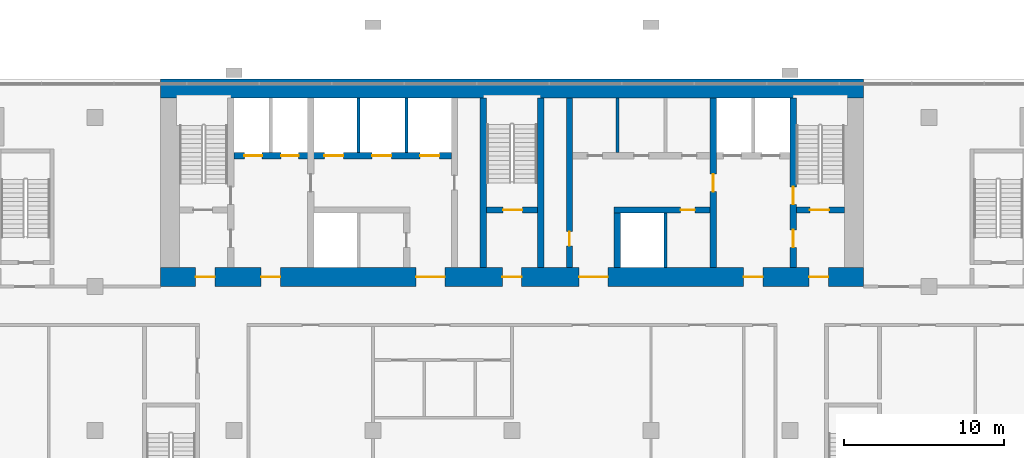
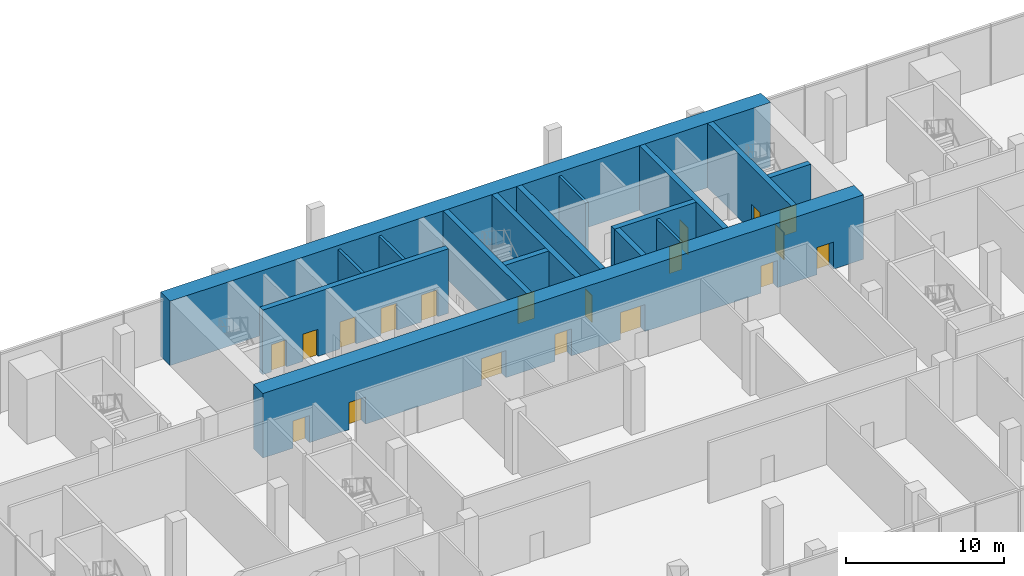
# One storey, part 13 of 20: 19 doors, 16 walls, 19 openings.
"""IFC4 building model written with IfcOpenShell, lengths in metres."""

import ifcopenshell
import ifcopenshell.guid

model = None  # the IFC model being written
_history = None  # IfcOwnerHistory: only IFC2X3 demands one
_inside = {}  # id of a spatial element -> (the spatial element, [elements in it])
_under = {}  # id of a project, library or spatial element -> (it, [spatial elements below it])
_declared = {}  # id of a project -> (the project, [libraries it declares])
_typed = {}  # id of a type object -> (the type object, [elements of that type])
_made_of = {}  # id of a material, layer set ... -> (it, [elements and type objects made of it])


def new_model(schema):
    """Start an empty IFC model of exactly this schema.

    Asked for "IFC4X3", IfcOpenShell would pick the latest addendum, in which some entities
    have other attributes; the version numbers below select the first issue.
    IFC2X3 requires an IfcOwnerHistory on every rooted entity: one is made here for all.
    """
    global model, _history
    if schema == "IFC4X3":
        model = ifcopenshell.file(schema_version=(4, 3, 0, 0))
    else:
        model = ifcopenshell.file(schema=schema)
    _inside.clear()
    _under.clear()
    _declared.clear()
    _typed.clear()
    _made_of.clear()
    _history = None
    if model.schema == "IFC2X3":
        org = make("IfcOrganization", Name="unknown")
        user = make(
            "IfcPersonAndOrganization",
            ThePerson=make("IfcPerson", FamilyName="unknown"),
            TheOrganization=org,
        )
        app = make(
            "IfcApplication",
            ApplicationDeveloper=org,
            Version="unknown",
            ApplicationFullName="unknown",
            ApplicationIdentifier="unknown",
        )
        _history = make(
            "IfcOwnerHistory",
            OwningUser=user,
            OwningApplication=app,
            ChangeAction="ADDED",
            CreationDate=0,
        )
    return model


def make(cls, **values):
    """One entity of the class cls with the attributes given. An attribute that is None is left unset."""
    return model.create_entity(
        cls, **{name: value for name, value in values.items() if value is not None}
    )


def rooted(cls, **values):
    """An entity with a GlobalId (a new one), such as an element, a storey or a relation."""
    return make(cls, GlobalId=ifcopenshell.guid.new(), OwnerHistory=_history, **values)


def si_unit(unit_type, name, prefix=None):
    """IfcSIUnit, for example si_unit("LENGTHUNIT", "METRE", prefix="MILLI")."""
    return make("IfcSIUnit", UnitType=unit_type, Prefix=prefix, Name=name)


def assignment(units):
    """IfcUnitAssignment: the units of a project."""
    return None if units is None else make("IfcUnitAssignment", Units=units)


def point(xyz):
    """IfcCartesianPoint."""
    return None if xyz is None else make("IfcCartesianPoint", Coordinates=xyz)


def direction(xyz):
    """IfcDirection."""
    return None if xyz is None else make("IfcDirection", DirectionRatios=xyz)


def frame(location, z_axis=None, x_axis=None):
    """IfcAxis2Placement3D, a coordinate frame: its origin and axes. An axis left out is left unset."""
    return make(
        "IfcAxis2Placement3D",
        Location=point(location),
        Axis=direction(z_axis),
        RefDirection=direction(x_axis),
    )


def frame_2d(location, x_axis=None):
    """IfcAxis2Placement2D, a coordinate frame in the plane: its origin and x axis."""
    return make(
        "IfcAxis2Placement2D", Location=point(location), RefDirection=direction(x_axis)
    )


def origin():
    """The frame at (0, 0, 0) with its axes left unset."""
    return frame((0.0, 0.0, 0.0))


def place(relative_to, where):
    """IfcLocalPlacement: puts the frame where relative to a parent placement (None: the world)."""
    return make(
        "IfcLocalPlacement", PlacementRelTo=relative_to, RelativePlacement=where
    )


def context(
    kind, dimensions, precision=None, world=None, true_north=None, identifier=None
):
    """IfcGeometricRepresentationContext, for example the 3D "Model" context."""
    return make(
        "IfcGeometricRepresentationContext",
        ContextIdentifier=identifier,
        ContextType=kind,
        CoordinateSpaceDimension=dimensions,
        Precision=precision,
        WorldCoordinateSystem=world,
        TrueNorth=true_north,
    )


def subcontext(parent, identifier, kind, view, scale=None):
    """IfcGeometricRepresentationSubContext, for example "Body" below "Model"."""
    return make(
        "IfcGeometricRepresentationSubContext",
        ContextIdentifier=identifier,
        ContextType=kind,
        ParentContext=parent,
        TargetScale=scale,
        TargetView=view,
    )


def project(units=None, contexts=None):
    """IfcProject with its units and contexts."""
    return rooted(
        "IfcProject",
        Name="project",
        RepresentationContexts=contexts,
        UnitsInContext=assignment(units),
    )


def spatial(cls, under=None, at=None, **own):
    """A site, building, storey or space (cls), placed at a placement, below another one or the project."""
    s = rooted(cls, ObjectPlacement=at, **own)
    if under is not None:
        _under.setdefault(under.id(), (under, []))[1].append(s)
    return s


def profile(cls, at=None, kind="AREA", **sizes):
    """A parametric profile (cls). Its sizes go by their IFC names, for example OverallWidth=200.0."""
    return make(cls, ProfileType=kind, Position=at, **sizes)


def rectangle(**sizes):
    """IfcRectangleProfileDef."""
    return profile("IfcRectangleProfileDef", **sizes)


def extrude(swept, where, along, depth):
    """IfcExtrudedAreaSolid: the profile swept, set in the frame where, extruded along a direction by depth."""
    return make(
        "IfcExtrudedAreaSolid",
        SweptArea=swept,
        Position=where,
        ExtrudedDirection=direction(along),
        Depth=depth,
    )


def shape(context_of_items, identifier, shape_type, items):
    """IfcShapeRepresentation: the items that make up one representation, for example the "Body"."""
    return make(
        "IfcShapeRepresentation",
        ContextOfItems=context_of_items,
        RepresentationIdentifier=identifier,
        RepresentationType=shape_type,
        Items=items,
    )


def material(Name=None, Category=None):
    """IfcMaterial."""
    return make("IfcMaterial", Name=Name, Category=Category)


def layer(
    of_material, thickness, ventilated=None, Name=None, Category=None, Priority=None
):
    """IfcMaterialLayer: one layer of a wall or slab, of a material (None: an air gap)."""
    return make(
        "IfcMaterialLayer",
        Material=of_material,
        LayerThickness=thickness,
        IsVentilated=ventilated,
        Name=Name,
        Category=Category,
        Priority=Priority,
    )


def layer_set(layers, Name=None):
    """IfcMaterialLayerSet."""
    return make("IfcMaterialLayerSet", MaterialLayers=layers, LayerSetName=Name)


def made_of(thing, what):
    """Note that an element or type object is made of a material, layer set ...; save() writes the relation."""
    if what is not None:
        _made_of.setdefault(what.id(), (what, []))[1].append(thing)
    return thing


def type_object(cls, material=None, **own):
    """A type object (cls), such as IfcWallType, which elements share."""
    return made_of(rooted(cls, **own), material)


def element(
    cls,
    number,
    at=None,
    inside=None,
    cuts=None,
    type_object=None,
    material=None,
    context=None,
    identifier="Body",
    shape_type=None,
    held_by="IfcProductDefinitionShape",
    body=None,
    shapes=None,
    **own,
):
    """One element of the class cls, such as IfcWall. Its Tag is "e" and its number.

    at: its placement. inside: the storey or other place that contains it. cuts: it is an
    opening in that element (IfcRelVoidsElement). A single representation is given by context,
    identifier, shape_type and body (its items); several are given by shapes. held_by: the class
    of the entity that holds the representations. save() writes the other relations.
    """
    e = rooted(cls, Tag="e%d" % number, ObjectPlacement=at, **own)
    if body is not None:
        shapes = [shape(context, identifier, shape_type, body)]
    if shapes is not None:
        e.Representation = make(held_by, Representations=shapes)
    if inside is not None:
        _inside.setdefault(inside.id(), (inside, []))[1].append(e)
    if cuts is not None:
        rooted(
            "IfcRelVoidsElement", RelatingBuildingElement=cuts, RelatedOpeningElement=e
        )
    if type_object is not None:
        _typed.setdefault(type_object.id(), (type_object, []))[1].append(e)
    return made_of(e, material)


def fill(opening, filler):
    """IfcRelFillsElement: the door or window that sits in an opening."""
    return rooted(
        "IfcRelFillsElement",
        RelatingOpeningElement=opening,
        RelatedBuildingElement=filler,
    )


def aggregate(whole, parts):
    """IfcRelAggregates: a whole, such as a stair, and the parts it consists of."""
    return rooted("IfcRelAggregates", RelatingObject=whole, RelatedObjects=parts)


def save(model, path):
    """Write the relations noted so far, then the file.

    IfcRelAggregates (storeys below a building ...), IfcRelContainedInSpatialStructure (elements
    in a storey), IfcRelDefinesByType, IfcRelAssociatesMaterial and IfcRelDeclares: one each for
    every whole, place, type object, material and project.
    """
    for whole, parts in _under.values():
        aggregate(whole, parts)
    for where, things in _inside.values():
        rooted(
            "IfcRelContainedInSpatialStructure",
            RelatedElements=things,
            RelatingStructure=where,
        )
    for kind, things in _typed.values():
        rooted("IfcRelDefinesByType", RelatedObjects=things, RelatingType=kind)
    for what, things in _made_of.values():
        rooted("IfcRelAssociatesMaterial", RelatedObjects=things, RelatingMaterial=what)
    for by, libraries in _declared.values():
        rooted("IfcRelDeclares", RelatingContext=by, RelatedDefinitions=libraries)
    model.write(path)


model = new_model("IFC4")

# Units and contexts
model_context = context("Model", 3, precision=1e-05, world=origin(), true_north=direction((0.0, 1.0)))
body_context = subcontext(model_context, "Body", "Model", "MODEL_VIEW")
ifc_project = project(units=[si_unit("LENGTHUNIT", "METRE"), si_unit("AREAUNIT", "SQUARE_METRE"), si_unit("VOLUMEUNIT", "CUBIC_METRE"), si_unit("PLANEANGLEUNIT", "RADIAN"), si_unit("MASSUNIT", "GRAM", prefix="KILO")], contexts=[model_context])

# Site, building, storey
site_placement = place(None, origin())
site = spatial("IfcSite", under=ifc_project, at=site_placement, CompositionType="ELEMENT")
building_placement = place(site_placement, origin())
building = spatial("IfcBuilding", under=site, at=building_placement, Name="Bicima Exchange Tower", CompositionType="ELEMENT")
storey_placement = place(building_placement, frame((0.0, 0.0, 25.0)))
storey = spatial("IfcBuildingStorey", under=building, at=storey_placement, Name="L04", CompositionType="ELEMENT", Elevation=25.0)

# Walls
ifc_material_1 = material(Name="Gypsum board partition")
ifc_layer_1 = layer(ifc_material_1, 0.199951171875)
ifc_layer_set_1 = layer_set([ifc_layer_1], Name="Gypsum board partition")
wall_type_1 = type_object("IfcWallType", Name="Fire-rated gypsum partition 200 EI120", PredefinedType="PARTITIONING", material=ifc_layer_set_1)
for number, where, z_axis, x_axis, name in (
    (1, (-9.60009765625, -4.60009765625, 0.0), (0.0, 0.0, 1.0), (0.0, 1.0, 0.0), "partition wall 12"),
    (2, (-6.60009765625, -4.60009765625, 0.0), (0.0, 0.0, 1.0), (0.0, 1.0, 0.0), "partition wall 14"),
    (3, (9.60009765625, -11.800048828125, 0.0), (0.0, 0.0, 1.0), (0.0, 1.0, 0.0), "partition wall 21"),
):
    element("IfcWall", number, at=place(storey_placement, frame(where, z_axis=z_axis, x_axis=x_axis)), inside=storey, type_object=wall_type_1, Name=name, PredefinedType="PARTITIONING", context=body_context, shape_type="SweptSolid", body=[
        extrude(rectangle(XDim=3.400146484375, YDim=0.199951171875, at=frame_2d((1.7001953125, 0.0))), origin(), (0.0, 0.0, 1.0), 4.699951171875),
    ])
ifc_layer_2 = layer(ifc_material_1, 0.199951171875)
ifc_layer_set_2 = layer_set([ifc_layer_2], Name="Gypsum board partition")
wall_type_2 = type_object("IfcWallType", Name="Fire-rated gypsum partition 200 EI60", PredefinedType="PARTITIONING", material=ifc_layer_set_2)
wall_1_placement = place(storey_placement, frame((6.60009765625, -4.60009765625, 0.0), z_axis=(0.0, 0.0, 1.0), x_axis=(0.0, 1.0, 0.0)))
element("IfcWall", 4, at=wall_1_placement, inside=storey, type_object=wall_type_2, Name="partition wall 20", PredefinedType="PARTITIONING", context=body_context, shape_type="SweptSolid", body=[
    extrude(rectangle(XDim=3.400146484375, YDim=0.199951171875, at=frame_2d((1.7001953125, 0.0))), origin(), (0.0, 0.0, 1.0), 4.699951171875),
])
ifc_material_2 = material(Name="Concrete C60/75", Category="concrete")
ifc_layer_3 = layer(ifc_material_2, 1.199951171875)
ifc_layer_set_3 = layer_set([ifc_layer_3], Name="Concrete C60/75")
wall_type_3 = type_object("IfcWallType", Name="RC core wall 1200 C60/75", PredefinedType="SHEAR", material=ifc_layer_set_3)
wall_2_placement = place(storey_placement, frame((-22.0, -0.60009765625, 0.0), z_axis=(0.0, 0.0, 1.0), x_axis=(1.0, 0.0, 0.0)))
element("IfcWall", 5, at=wall_2_placement, inside=storey, type_object=wall_type_3, Name="Core wall north", PredefinedType="SHEAR", context=body_context, shape_type="SweptSolid", body=[
    extrude(rectangle(XDim=44.0, YDim=1.199951171875, at=frame_2d((22.0, 0.0))), origin(), (0.0, 0.0, 1.0), 5.0),
])

# Wall, openings, doors
wall_3_placement = place(storey_placement, frame((-22.0, -12.39990234375, 0.0), z_axis=(0.0, 0.0, 1.0), x_axis=(1.0, 0.0, 0.0)))
wall_3 = element("IfcWall", 6, at=wall_3_placement, inside=storey, type_object=wall_type_3, Name="Core wall south", PredefinedType="SHEAR", context=body_context, shape_type="SweptSolid", body=[
    extrude(rectangle(XDim=44.0, YDim=1.199951171875, at=frame_2d((22.0, 0.0))), origin(), (0.0, 0.0, 1.0), 5.0),
])
opening_1_placement = place(wall_3_placement, frame((2.199951171875, 0.0, 0.0)))
opening_1 = element("IfcOpeningElement", 7, at=opening_1_placement, cuts=wall_3, Name="Opening L04-C17", PredefinedType="OPENING", context=body_context, shape_type="SweptSolid", body=[
    extrude(rectangle(XDim=1.199951171875, YDim=2.10009765625, at=frame_2d((0.60009765625, 1.050048828125))), frame((0.0, 0.61181640625, 0.0), z_axis=(0.0, -1.0, 0.0), x_axis=(1.0, 0.0, 0.0)), (0.0, 0.0, 1.0), 1.223876953125),
])
opening_2_placement = place(wall_3_placement, frame((21.39990234375, 0.0, 0.0)))
opening_2 = element("IfcOpeningElement", 8, at=opening_2_placement, cuts=wall_3, Name="Opening L04-C18", PredefinedType="OPENING", context=body_context, shape_type="SweptSolid", body=[
    extrude(rectangle(XDim=1.199951171875, YDim=2.10009765625, at=frame_2d((0.60009765625, 1.050048828125))), frame((0.0, 0.61181640625, 0.0), z_axis=(0.0, -1.0, 0.0), x_axis=(1.0, 0.0, 0.0)), (0.0, 0.0, 1.0), 1.223876953125),
])
opening_3_placement = place(wall_3_placement, frame((40.60009765625, 0.0, 0.0)))
opening_3 = element("IfcOpeningElement", 9, at=opening_3_placement, cuts=wall_3, Name="Opening L04-C19", PredefinedType="OPENING", context=body_context, shape_type="SweptSolid", body=[
    extrude(rectangle(XDim=1.199951171875, YDim=2.10009765625, at=frame_2d((0.60009765625, 1.050048828125))), frame((0.0, 0.61181640625, 0.0), z_axis=(0.0, -1.0, 0.0), x_axis=(1.0, 0.0, 0.0)), (0.0, 0.0, 1.0), 1.223876953125),
])
opening_4_placement = place(wall_3_placement, frame((16.0, 0.0, 0.0)))
opening_4 = element("IfcOpeningElement", 10, at=opening_4_placement, cuts=wall_3, Name="Opening L04-C20", PredefinedType="OPENING", context=body_context, shape_type="SweptSolid", body=[
    extrude(rectangle(XDim=1.800048828125, YDim=2.10009765625, at=frame_2d((0.89990234375, 1.050048828125))), frame((0.0, 0.61181640625, 0.0), z_axis=(0.0, -1.0, 0.0), x_axis=(1.0, 0.0, 0.0)), (0.0, 0.0, 1.0), 1.223876953125),
])
opening_5_placement = place(wall_3_placement, frame((6.300048828125, 0.0, 0.0)))
opening_5 = element("IfcOpeningElement", 11, at=opening_5_placement, cuts=wall_3, Name="Opening L04-C21", PredefinedType="OPENING", context=body_context, shape_type="SweptSolid", body=[
    extrude(rectangle(XDim=1.199951171875, YDim=2.10009765625, at=frame_2d((0.60009765625, 1.050048828125))), frame((0.0, 0.61181640625, 0.0), z_axis=(0.0, -1.0, 0.0), x_axis=(1.0, 0.0, 0.0)), (0.0, 0.0, 1.0), 1.223876953125),
])
opening_6_placement = place(wall_3_placement, frame((26.199951171875, 0.0, 0.0)))
opening_6 = element("IfcOpeningElement", 12, at=opening_6_placement, cuts=wall_3, Name="Opening L04-C22", PredefinedType="OPENING", context=body_context, shape_type="SweptSolid", body=[
    extrude(rectangle(XDim=1.800048828125, YDim=2.10009765625, at=frame_2d((0.89990234375, 1.050048828125))), frame((0.0, 0.61181640625, 0.0), z_axis=(0.0, -1.0, 0.0), x_axis=(1.0, 0.0, 0.0)), (0.0, 0.0, 1.0), 1.223876953125),
])
opening_7_placement = place(wall_3_placement, frame((36.5, 0.0, 0.0)))
opening_7 = element("IfcOpeningElement", 13, at=opening_7_placement, cuts=wall_3, Name="Opening L04-C23", PredefinedType="OPENING", context=body_context, shape_type="SweptSolid", body=[
    extrude(rectangle(XDim=1.199951171875, YDim=2.10009765625, at=frame_2d((0.60009765625, 1.050048828125))), frame((0.0, 0.61181640625, 0.0), z_axis=(0.0, -1.0, 0.0), x_axis=(1.0, 0.0, 0.0)), (0.0, 0.0, 1.0), 1.223876953125),
])
ifc_material_3 = material(Name="Steel fire door leaf", Category="steel")
door_type_1 = type_object("IfcDoorType", Name="Door 1200 swing FD60S", OperationType="SINGLE_SWING_LEFT", PredefinedType="DOOR", material=ifc_material_3)
door_1_placement = place(opening_1_placement, frame((1.199951171875, 0.0, 0.0), z_axis=(0.0, 0.0, 1.0), x_axis=(-1.0, 0.0, 0.0)))
door_1 = element("IfcDoor", 14, at=door_1_placement, inside=storey, type_object=door_type_1, Name="Core door", OperationType="SINGLE_SWING_RIGHT", OverallHeight=2.10009765625, OverallWidth=1.199951171875, PredefinedType="DOOR", context=body_context, shape_type="SweptSolid", body=[
    extrude(rectangle(XDim=1.199951171875, YDim=2.10009765625, at=frame_2d((0.60009765625, 1.050048828125))), frame((0.0, 0.02490234375, 0.0), z_axis=(0.0, -1.0, 0.0), x_axis=(1.0, 0.0, 0.0)), (0.0, 0.0, 1.0), 0.050048828125),
])
fill(opening_1, door_1)
door_2_placement = place(opening_2_placement, frame((1.199951171875, 0.0, 0.0), z_axis=(0.0, 0.0, 1.0), x_axis=(-1.0, 0.0, 0.0)))
door_2 = element("IfcDoor", 15, at=door_2_placement, inside=storey, type_object=door_type_1, Name="Core door", OperationType="SINGLE_SWING_RIGHT", OverallHeight=2.10009765625, OverallWidth=1.199951171875, PredefinedType="DOOR", context=body_context, shape_type="SweptSolid", body=[
    extrude(rectangle(XDim=1.199951171875, YDim=2.10009765625, at=frame_2d((0.60009765625, 1.050048828125))), frame((0.0, 0.02490234375, 0.0), z_axis=(0.0, -1.0, 0.0), x_axis=(1.0, 0.0, 0.0)), (0.0, 0.0, 1.0), 0.050048828125),
])
fill(opening_2, door_2)
door_3_placement = place(opening_3_placement, frame((1.199951171875, 0.0, 0.0), z_axis=(0.0, 0.0, 1.0), x_axis=(-1.0, 0.0, 0.0)))
door_3 = element("IfcDoor", 16, at=door_3_placement, inside=storey, type_object=door_type_1, Name="Core door", OperationType="SINGLE_SWING_RIGHT", OverallHeight=2.10009765625, OverallWidth=1.199951171875, PredefinedType="DOOR", context=body_context, shape_type="SweptSolid", body=[
    extrude(rectangle(XDim=1.199951171875, YDim=2.10009765625, at=frame_2d((0.60009765625, 1.050048828125))), frame((0.0, 0.02490234375, 0.0), z_axis=(0.0, -1.0, 0.0), x_axis=(1.0, 0.0, 0.0)), (0.0, 0.0, 1.0), 0.050048828125),
])
fill(opening_3, door_3)
door_4_placement = place(opening_5_placement, frame((1.199951171875, 0.0, 0.0), z_axis=(0.0, 0.0, 1.0), x_axis=(-1.0, 0.0, 0.0)))
door_4 = element("IfcDoor", 17, at=door_4_placement, inside=storey, type_object=door_type_1, Name="Core door", OperationType="SINGLE_SWING_RIGHT", OverallHeight=2.10009765625, OverallWidth=1.199951171875, PredefinedType="DOOR", context=body_context, shape_type="SweptSolid", body=[
    extrude(rectangle(XDim=1.199951171875, YDim=2.10009765625, at=frame_2d((0.60009765625, 1.050048828125))), frame((0.0, 0.02490234375, 0.0), z_axis=(0.0, -1.0, 0.0), x_axis=(1.0, 0.0, 0.0)), (0.0, 0.0, 1.0), 0.050048828125),
])
fill(opening_5, door_4)
door_5_placement = place(opening_7_placement, frame((1.199951171875, 0.0, 0.0), z_axis=(0.0, 0.0, 1.0), x_axis=(-1.0, 0.0, 0.0)))
door_5 = element("IfcDoor", 18, at=door_5_placement, inside=storey, type_object=door_type_1, Name="Core door", OperationType="SINGLE_SWING_RIGHT", OverallHeight=2.10009765625, OverallWidth=1.199951171875, PredefinedType="DOOR", context=body_context, shape_type="SweptSolid", body=[
    extrude(rectangle(XDim=1.199951171875, YDim=2.10009765625, at=frame_2d((0.60009765625, 1.050048828125))), frame((0.0, 0.02490234375, 0.0), z_axis=(0.0, -1.0, 0.0), x_axis=(1.0, 0.0, 0.0)), (0.0, 0.0, 1.0), 0.050048828125),
])
fill(opening_7, door_5)
door_type_2 = type_object("IfcDoorType", Name="Door 1800 double swing FD30S", OperationType="DOUBLE_DOOR_SINGLE_SWING", PredefinedType="DOOR", material=ifc_material_3)
door_6_placement = place(opening_4_placement, origin())
door_6 = element("IfcDoor", 19, at=door_6_placement, inside=storey, type_object=door_type_2, Name="Core door", OperationType="SINGLE_SWING_LEFT", OverallHeight=2.10009765625, OverallWidth=1.800048828125, PredefinedType="DOOR", context=body_context, shape_type="SweptSolid", body=[
    extrude(rectangle(XDim=1.800048828125, YDim=2.10009765625, at=frame_2d((0.89990234375, 1.050048828125))), frame((0.0, 0.02490234375, 0.0), z_axis=(0.0, -1.0, 0.0), x_axis=(1.0, 0.0, 0.0)), (0.0, 0.0, 1.0), 0.050048828125),
])
fill(opening_4, door_6)
door_7_placement = place(opening_6_placement, origin())
door_7 = element("IfcDoor", 20, at=door_7_placement, inside=storey, type_object=door_type_2, Name="Core door", OperationType="SINGLE_SWING_LEFT", OverallHeight=2.10009765625, OverallWidth=1.800048828125, PredefinedType="DOOR", context=body_context, shape_type="SweptSolid", body=[
    extrude(rectangle(XDim=1.800048828125, YDim=2.10009765625, at=frame_2d((0.89990234375, 1.050048828125))), frame((0.0, 0.02490234375, 0.0), z_axis=(0.0, -1.0, 0.0), x_axis=(1.0, 0.0, 0.0)), (0.0, 0.0, 1.0), 0.050048828125),
])
fill(opening_6, door_7)

# Wall, opening, door
ifc_material_4 = material(Name="Concrete C50/60", Category="concrete")
ifc_layer_4 = layer(ifc_material_4, 0.39990234375)
ifc_layer_set_4 = layer_set([ifc_layer_4], Name="Concrete C50/60")
wall_type_4 = type_object("IfcWallType", Name="RC core wall 400 C50/60", PredefinedType="SHEAR", material=ifc_layer_set_4)
wall_4_placement = place(storey_placement, frame((-1.60009765625, -8.199951171875, 0.0), z_axis=(0.0, 0.0, 1.0), x_axis=(1.0, 0.0, 0.0)))
wall_4 = element("IfcWall", 21, at=wall_4_placement, inside=storey, type_object=wall_type_4, Name="stair wall 3", PredefinedType="SHEAR", context=body_context, shape_type="SweptSolid", body=[
    extrude(rectangle(XDim=3.2001953125, YDim=0.39990234375, at=frame_2d((1.60009765625, 0.0))), origin(), (0.0, 0.0, 1.0), 5.0),
])
opening_8_placement = place(wall_4_placement, frame((1.050048828125, 0.0, 0.0)))
opening_8 = element("IfcOpeningElement", 22, at=opening_8_placement, cuts=wall_4, Name="Opening L04-C03", PredefinedType="OPENING", context=body_context, shape_type="SweptSolid", body=[
    extrude(rectangle(XDim=1.199951171875, YDim=2.10009765625, at=frame_2d((0.60009765625, 1.050048828125))), frame((0.0, 0.2119140625, 0.0), z_axis=(0.0, -1.0, 0.0), x_axis=(1.0, 0.0, 0.0)), (0.0, 0.0, 1.0), 0.423828125),
])
door_8_placement = place(opening_8_placement, origin())
door_8 = element("IfcDoor", 23, at=door_8_placement, inside=storey, type_object=door_type_1, Name="Core door", OperationType="SINGLE_SWING_LEFT", OverallHeight=2.10009765625, OverallWidth=1.199951171875, PredefinedType="DOOR", context=body_context, shape_type="SweptSolid", body=[
    extrude(rectangle(XDim=1.199951171875, YDim=2.10009765625, at=frame_2d((0.60009765625, 1.050048828125))), frame((0.0, 0.02490234375, 0.0), z_axis=(0.0, -1.0, 0.0), x_axis=(1.0, 0.0, 0.0)), (0.0, 0.0, 1.0), 0.050048828125),
])
fill(opening_8, door_8)

wall_5_placement = place(storey_placement, frame((17.800048828125, -8.199951171875, 0.0), z_axis=(0.0, 0.0, 1.0), x_axis=(1.0, 0.0, 0.0)))
wall_5 = element("IfcWall", 24, at=wall_5_placement, inside=storey, type_object=wall_type_4, Name="stair wall 5", PredefinedType="SHEAR", context=body_context, shape_type="SweptSolid", body=[
    extrude(rectangle(XDim=3.0, YDim=0.39990234375, at=frame_2d((1.5, 0.0))), origin(), (0.0, 0.0, 1.0), 5.0),
])
opening_9_placement = place(wall_5_placement, frame((0.85009765625, 0.0, 0.0)))
opening_9 = element("IfcOpeningElement", 25, at=opening_9_placement, cuts=wall_5, Name="Opening L04-C04", PredefinedType="OPENING", context=body_context, shape_type="SweptSolid", body=[
    extrude(rectangle(XDim=1.199951171875, YDim=2.10009765625, at=frame_2d((0.60009765625, 1.050048828125))), frame((0.0, 0.2119140625, 0.0), z_axis=(0.0, -1.0, 0.0), x_axis=(1.0, 0.0, 0.0)), (0.0, 0.0, 1.0), 0.423828125),
])
door_9_placement = place(opening_9_placement, origin())
door_9 = element("IfcDoor", 26, at=door_9_placement, inside=storey, type_object=door_type_1, Name="Core door", OperationType="SINGLE_SWING_RIGHT", OverallHeight=2.10009765625, OverallWidth=1.199951171875, PredefinedType="DOOR", context=body_context, shape_type="SweptSolid", body=[
    extrude(rectangle(XDim=1.199951171875, YDim=2.10009765625, at=frame_2d((0.60009765625, 1.050048828125))), frame((0.0, 0.02490234375, 0.0), z_axis=(0.0, -1.0, 0.0), x_axis=(1.0, 0.0, 0.0)), (0.0, 0.0, 1.0), 0.050048828125),
])
fill(opening_9, door_9)

# Walls
for number, where, z_axis, x_axis, name in (
    (27, (-1.800048828125, -11.800048828125, 0.0), (0.0, 0.0, 1.0), (0.0, 1.0, 0.0), "stair wall 16"),
    (28, (1.800048828125, -11.800048828125, 0.0), (0.0, 0.0, 1.0), (0.0, 1.0, 0.0), "stair wall 17"),
):
    element("IfcWall", number, at=place(storey_placement, frame(where, z_axis=z_axis, x_axis=x_axis)), inside=storey, type_object=wall_type_4, Name=name, PredefinedType="SHEAR", context=body_context, shape_type="SweptSolid", body=[
        extrude(rectangle(XDim=10.60009765625, YDim=0.39990234375, at=frame_2d((5.300048828125, 0.0))), origin(), (0.0, 0.0, 1.0), 5.0),
    ])

# Wall, openings, doors
wall_6_placement = place(storey_placement, frame((17.60009765625, -11.800048828125, 0.0), z_axis=(0.0, 0.0, 1.0), x_axis=(0.0, 1.0, 0.0)))
wall_6 = element("IfcWall", 29, at=wall_6_placement, inside=storey, type_object=wall_type_4, Name="stair wall 25", PredefinedType="SHEAR", context=body_context, shape_type="SweptSolid", body=[
    extrude(rectangle(XDim=10.60009765625, YDim=0.39990234375, at=frame_2d((5.300048828125, 0.0))), origin(), (0.0, 0.0, 1.0), 5.0),
])
opening_10_placement = place(wall_6_placement, frame((1.25, 0.0, 0.0)))
opening_10 = element("IfcOpeningElement", 30, at=opening_10_placement, cuts=wall_6, Name="Opening L04-C05", PredefinedType="OPENING", context=body_context, shape_type="SweptSolid", body=[
    extrude(rectangle(XDim=1.10009765625, YDim=2.10009765625, at=frame_2d((0.550048828125, 1.050048828125))), frame((0.0, 0.2119140625, 0.0), z_axis=(0.0, -1.0, 0.0), x_axis=(1.0, 0.0, 0.0)), (0.0, 0.0, 1.0), 0.423828125),
])
opening_11_placement = place(wall_6_placement, frame((3.949951171875, 0.0, 0.0)))
opening_11 = element("IfcOpeningElement", 31, at=opening_11_placement, cuts=wall_6, Name="Opening L04-C08", PredefinedType="OPENING", context=body_context, shape_type="SweptSolid", body=[
    extrude(rectangle(XDim=1.10009765625, YDim=2.10009765625, at=frame_2d((0.550048828125, 1.050048828125))), frame((0.0, 0.2119140625, 0.0), z_axis=(0.0, -1.0, 0.0), x_axis=(1.0, 0.0, 0.0)), (0.0, 0.0, 1.0), 0.423828125),
])
door_type_3 = type_object("IfcDoorType", Name="Door 1100 swing FD60S", OperationType="SINGLE_SWING_LEFT", PredefinedType="DOOR", material=ifc_material_3)
door_10_placement = place(opening_10_placement, origin())
door_10 = element("IfcDoor", 32, at=door_10_placement, inside=storey, type_object=door_type_3, Name="Core door", OperationType="SINGLE_SWING_LEFT", OverallHeight=2.10009765625, OverallWidth=1.10009765625, PredefinedType="DOOR", context=body_context, shape_type="SweptSolid", body=[
    extrude(rectangle(XDim=1.10009765625, YDim=2.10009765625, at=frame_2d((0.550048828125, 1.050048828125))), frame((0.0, 0.02490234375, 0.0), z_axis=(0.0, -1.0, 0.0), x_axis=(1.0, 0.0, 0.0)), (0.0, 0.0, 1.0), 0.050048828125),
])
fill(opening_10, door_10)
door_11_placement = place(opening_11_placement, origin())
door_11 = element("IfcDoor", 33, at=door_11_placement, inside=storey, type_object=door_type_3, Name="Core door", OperationType="SINGLE_SWING_RIGHT", OverallHeight=2.10009765625, OverallWidth=1.10009765625, PredefinedType="DOOR", context=body_context, shape_type="SweptSolid", body=[
    extrude(rectangle(XDim=1.10009765625, YDim=2.10009765625, at=frame_2d((0.550048828125, 1.050048828125))), frame((0.0, 0.02490234375, 0.0), z_axis=(0.0, -1.0, 0.0), x_axis=(1.0, 0.0, 0.0)), (0.0, 0.0, 1.0), 0.050048828125),
])
fill(opening_11, door_11)

# Wall, opening, door
ifc_layer_5 = layer(ifc_material_2, 0.39990234375)
ifc_layer_set_5 = layer_set([ifc_layer_5], Name="Concrete C60/75")
wall_type_5 = type_object("IfcWallType", Name="RC core wall 400 C60/75", PredefinedType="SHEAR", material=ifc_layer_set_5)
wall_7_placement = place(storey_placement, frame((6.39990234375, -8.199951171875, 0.0), z_axis=(0.0, 0.0, 1.0), x_axis=(1.0, 0.0, 0.0)))
wall_7 = element("IfcWall", 34, at=wall_7_placement, inside=storey, type_object=wall_type_5, Name="shear wall 4", PredefinedType="SHEAR", context=body_context, shape_type="SweptSolid", body=[
    extrude(rectangle(XDim=6.0, YDim=0.39990234375, at=frame_2d((3.0, 0.0))), origin(), (0.0, 0.0, 1.0), 5.0),
])
opening_12_placement = place(wall_7_placement, frame((4.14990234375, 0.0, 0.0)))
opening_12 = element("IfcOpeningElement", 35, at=opening_12_placement, cuts=wall_7, Name="Opening L04-C16", PredefinedType="OPENING", context=body_context, shape_type="SweptSolid", body=[
    extrude(rectangle(XDim=0.89990234375, YDim=2.10009765625, at=frame_2d((0.449951171875, 1.050048828125))), frame((0.0, 0.2119140625, 0.0), z_axis=(0.0, -1.0, 0.0), x_axis=(1.0, 0.0, 0.0)), (0.0, 0.0, 1.0), 0.423828125),
])
door_type_4 = type_object("IfcDoorType", Name="Door 900 swing FD30S", OperationType="SINGLE_SWING_LEFT", PredefinedType="DOOR", material=ifc_material_3)
door_12_placement = place(opening_12_placement, frame((0.89990234375, 0.0, 0.0), z_axis=(0.0, 0.0, 1.0), x_axis=(-1.0, 0.0, 0.0)))
door_12 = element("IfcDoor", 36, at=door_12_placement, inside=storey, type_object=door_type_4, Name="Core door", OperationType="SINGLE_SWING_LEFT", OverallHeight=2.10009765625, OverallWidth=0.89990234375, PredefinedType="DOOR", context=body_context, shape_type="SweptSolid", body=[
    extrude(rectangle(XDim=0.89990234375, YDim=2.10009765625, at=frame_2d((0.449951171875, 1.050048828125))), frame((0.0, 0.02490234375, 0.0), z_axis=(0.0, -1.0, 0.0), x_axis=(1.0, 0.0, 0.0)), (0.0, 0.0, 1.0), 0.050048828125),
])
fill(opening_12, door_12)

# Wall, openings, doors
wall_8_placement = place(storey_placement, frame((-17.39990234375, -4.800048828125, 0.0), z_axis=(0.0, 0.0, 1.0), x_axis=(1.0, 0.0, 0.0)))
wall_8 = element("IfcWall", 37, at=wall_8_placement, inside=storey, type_object=wall_type_5, Name="shear wall 6", PredefinedType="SHEAR", context=body_context, shape_type="SweptSolid", body=[
    extrude(rectangle(XDim=13.599853515625, YDim=0.39990234375, at=frame_2d((6.7998046875, 0.0))), origin(), (0.0, 0.0, 1.0), 5.0),
])
opening_13_placement = place(wall_8_placement, frame((0.64990234375, 0.0, 0.0)))
opening_13 = element("IfcOpeningElement", 38, at=opening_13_placement, cuts=wall_8, Name="Opening LD-FF1-L04", PredefinedType="OPENING", context=body_context, shape_type="SweptSolid", body=[
    extrude(rectangle(XDim=1.10009765625, YDim=2.10009765625, at=frame_2d((0.550048828125, 1.050048828125))), frame((0.0, 0.2119140625, 0.0), z_axis=(0.0, -1.0, 0.0), x_axis=(1.0, 0.0, 0.0)), (0.0, 0.0, 1.0), 0.423828125),
])
opening_14_placement = place(wall_8_placement, frame((2.949951171875, 0.0, 0.0)))
opening_14 = element("IfcOpeningElement", 39, at=opening_14_placement, cuts=wall_8, Name="Opening LD-FF3-L04", PredefinedType="OPENING", context=body_context, shape_type="SweptSolid", body=[
    extrude(rectangle(XDim=1.10009765625, YDim=2.10009765625, at=frame_2d((0.550048828125, 1.050048828125))), frame((0.0, 0.2119140625, 0.0), z_axis=(0.0, -1.0, 0.0), x_axis=(1.0, 0.0, 0.0)), (0.0, 0.0, 1.0), 0.423828125),
])
opening_15_placement = place(wall_8_placement, frame((5.64990234375, 0.0, 0.0)))
opening_15 = element("IfcOpeningElement", 40, at=opening_15_placement, cuts=wall_8, Name="Opening LD-LB1-L04", PredefinedType="OPENING", context=body_context, shape_type="SweptSolid", body=[
    extrude(rectangle(XDim=1.199951171875, YDim=2.10009765625, at=frame_2d((0.60009765625, 1.050048828125))), frame((0.0, 0.2119140625, 0.0), z_axis=(0.0, -1.0, 0.0), x_axis=(1.0, 0.0, 0.0)), (0.0, 0.0, 1.0), 0.423828125),
])
opening_16_placement = place(wall_8_placement, frame((8.64990234375, 0.0, 0.0)))
opening_16 = element("IfcOpeningElement", 41, at=opening_16_placement, cuts=wall_8, Name="Opening LD-LB2-L04", PredefinedType="OPENING", context=body_context, shape_type="SweptSolid", body=[
    extrude(rectangle(XDim=1.199951171875, YDim=2.10009765625, at=frame_2d((0.60009765625, 1.050048828125))), frame((0.0, 0.2119140625, 0.0), z_axis=(0.0, -1.0, 0.0), x_axis=(1.0, 0.0, 0.0)), (0.0, 0.0, 1.0), 0.423828125),
])
opening_17_placement = place(wall_8_placement, frame((11.64990234375, 0.0, 0.0)))
opening_17 = element("IfcOpeningElement", 42, at=opening_17_placement, cuts=wall_8, Name="Opening LD-LB3-L04", PredefinedType="OPENING", context=body_context, shape_type="SweptSolid", body=[
    extrude(rectangle(XDim=1.199951171875, YDim=2.10009765625, at=frame_2d((0.60009765625, 1.050048828125))), frame((0.0, 0.2119140625, 0.0), z_axis=(0.0, -1.0, 0.0), x_axis=(1.0, 0.0, 0.0)), (0.0, 0.0, 1.0), 0.423828125),
])
ifc_material_5 = material(Name="Stainless steel", Category="steel")
door_type_5 = type_object("IfcDoorType", Name="Lift landing door 1100 sliding", OperationType="DOUBLE_DOOR_SLIDING", PredefinedType="DOOR", material=ifc_material_5)
door_13_placement = place(opening_13_placement, origin())
door_13 = element("IfcDoor", 43, at=door_13_placement, inside=storey, type_object=door_type_5, Name="Lift landing door FF1", OperationType="DOUBLE_DOOR_SLIDING", OverallHeight=2.10009765625, OverallWidth=1.10009765625, PredefinedType="DOOR", context=body_context, shape_type="SweptSolid", body=[
    extrude(rectangle(XDim=1.10009765625, YDim=2.10009765625, at=frame_2d((0.550048828125, 1.050048828125))), frame((0.0, 0.02490234375, 0.0), z_axis=(0.0, -1.0, 0.0), x_axis=(1.0, 0.0, 0.0)), (0.0, 0.0, 1.0), 0.050048828125),
])
fill(opening_13, door_13)
door_14_placement = place(opening_14_placement, origin())
door_14 = element("IfcDoor", 44, at=door_14_placement, inside=storey, type_object=door_type_5, Name="Lift landing door FF3", OperationType="DOUBLE_DOOR_SLIDING", OverallHeight=2.10009765625, OverallWidth=1.10009765625, PredefinedType="DOOR", context=body_context, shape_type="SweptSolid", body=[
    extrude(rectangle(XDim=1.10009765625, YDim=2.10009765625, at=frame_2d((0.550048828125, 1.050048828125))), frame((0.0, 0.02490234375, 0.0), z_axis=(0.0, -1.0, 0.0), x_axis=(1.0, 0.0, 0.0)), (0.0, 0.0, 1.0), 0.050048828125),
])
fill(opening_14, door_14)
door_type_6 = type_object("IfcDoorType", Name="Lift landing door 1200 sliding", OperationType="DOUBLE_DOOR_SLIDING", PredefinedType="DOOR", material=ifc_material_5)
door_15_placement = place(opening_15_placement, origin())
door_15 = element("IfcDoor", 45, at=door_15_placement, inside=storey, type_object=door_type_6, Name="Lift landing door LB1", OperationType="DOUBLE_DOOR_SLIDING", OverallHeight=2.10009765625, OverallWidth=1.199951171875, PredefinedType="DOOR", context=body_context, shape_type="SweptSolid", body=[
    extrude(rectangle(XDim=1.199951171875, YDim=2.10009765625, at=frame_2d((0.60009765625, 1.050048828125))), frame((0.0, 0.02490234375, 0.0), z_axis=(0.0, -1.0, 0.0), x_axis=(1.0, 0.0, 0.0)), (0.0, 0.0, 1.0), 0.050048828125),
])
fill(opening_15, door_15)
door_16_placement = place(opening_16_placement, origin())
door_16 = element("IfcDoor", 46, at=door_16_placement, inside=storey, type_object=door_type_6, Name="Lift landing door LB2", OperationType="DOUBLE_DOOR_SLIDING", OverallHeight=2.10009765625, OverallWidth=1.199951171875, PredefinedType="DOOR", context=body_context, shape_type="SweptSolid", body=[
    extrude(rectangle(XDim=1.199951171875, YDim=2.10009765625, at=frame_2d((0.60009765625, 1.050048828125))), frame((0.0, 0.02490234375, 0.0), z_axis=(0.0, -1.0, 0.0), x_axis=(1.0, 0.0, 0.0)), (0.0, 0.0, 1.0), 0.050048828125),
])
fill(opening_16, door_16)
door_17_placement = place(opening_17_placement, origin())
door_17 = element("IfcDoor", 47, at=door_17_placement, inside=storey, type_object=door_type_6, Name="Lift landing door LB3", OperationType="DOUBLE_DOOR_SLIDING", OverallHeight=2.10009765625, OverallWidth=1.199951171875, PredefinedType="DOOR", context=body_context, shape_type="SweptSolid", body=[
    extrude(rectangle(XDim=1.199951171875, YDim=2.10009765625, at=frame_2d((0.60009765625, 1.050048828125))), frame((0.0, 0.02490234375, 0.0), z_axis=(0.0, -1.0, 0.0), x_axis=(1.0, 0.0, 0.0)), (0.0, 0.0, 1.0), 0.050048828125),
])
fill(opening_17, door_17)

# Wall, opening, door
wall_9_placement = place(storey_placement, frame((3.60009765625, -11.800048828125, 0.0), z_axis=(0.0, 0.0, 1.0), x_axis=(0.0, 1.0, 0.0)))
wall_9 = element("IfcWall", 48, at=wall_9_placement, inside=storey, type_object=wall_type_5, Name="shear wall 18", PredefinedType="SHEAR", context=body_context, shape_type="SweptSolid", body=[
    extrude(rectangle(XDim=10.60009765625, YDim=0.39990234375, at=frame_2d((5.300048828125, 0.0))), origin(), (0.0, 0.0, 1.0), 5.0),
])
opening_18_placement = place(wall_9_placement, frame((1.35009765625, 0.0, 0.0)))
opening_18 = element("IfcOpeningElement", 49, at=opening_18_placement, cuts=wall_9, Name="Opening L04-C11", PredefinedType="OPENING", context=body_context, shape_type="SweptSolid", body=[
    extrude(rectangle(XDim=0.89990234375, YDim=2.10009765625, at=frame_2d((0.449951171875, 1.050048828125))), frame((0.0, 0.2119140625, 0.0), z_axis=(0.0, -1.0, 0.0), x_axis=(1.0, 0.0, 0.0)), (0.0, 0.0, 1.0), 0.423828125),
])
door_18_placement = place(opening_18_placement, origin())
door_18 = element("IfcDoor", 50, at=door_18_placement, inside=storey, type_object=door_type_4, Name="Core door", OperationType="SINGLE_SWING_LEFT", OverallHeight=2.10009765625, OverallWidth=0.89990234375, PredefinedType="DOOR", context=body_context, shape_type="SweptSolid", body=[
    extrude(rectangle(XDim=0.89990234375, YDim=2.10009765625, at=frame_2d((0.449951171875, 1.050048828125))), frame((0.0, 0.02490234375, 0.0), z_axis=(0.0, -1.0, 0.0), x_axis=(1.0, 0.0, 0.0)), (0.0, 0.0, 1.0), 0.050048828125),
])
fill(opening_18, door_18)

# Wall
wall_10_placement = place(storey_placement, frame((6.60009765625, -11.800048828125, 0.0), z_axis=(0.0, 0.0, 1.0), x_axis=(0.0, 1.0, 0.0)))
element("IfcWall", 51, at=wall_10_placement, inside=storey, type_object=wall_type_5, Name="shear wall 19", PredefinedType="SHEAR", context=body_context, shape_type="SweptSolid", body=[
    extrude(rectangle(XDim=3.400146484375, YDim=0.39990234375, at=frame_2d((1.7001953125, 0.0))), origin(), (0.0, 0.0, 1.0), 5.0),
])

# Wall, opening, door
wall_11_placement = place(storey_placement, frame((12.60009765625, -11.800048828125, 0.0), z_axis=(0.0, 0.0, 1.0), x_axis=(0.0, 1.0, 0.0)))
wall_11 = element("IfcWall", 52, at=wall_11_placement, inside=storey, type_object=wall_type_5, Name="shear wall 23", PredefinedType="SHEAR", context=body_context, shape_type="SweptSolid", body=[
    extrude(rectangle(XDim=10.60009765625, YDim=0.39990234375, at=frame_2d((5.300048828125, 0.0))), origin(), (0.0, 0.0, 1.0), 5.0),
])
opening_19_placement = place(wall_11_placement, frame((4.75, 0.0, 0.0)))
opening_19 = element("IfcOpeningElement", 53, at=opening_19_placement, cuts=wall_11, Name="Opening L04-C09", PredefinedType="OPENING", context=body_context, shape_type="SweptSolid", body=[
    extrude(rectangle(XDim=1.10009765625, YDim=2.10009765625, at=frame_2d((0.550048828125, 1.050048828125))), frame((0.0, 0.2119140625, 0.0), z_axis=(0.0, -1.0, 0.0), x_axis=(1.0, 0.0, 0.0)), (0.0, 0.0, 1.0), 0.423828125),
])
door_19_placement = place(opening_19_placement, frame((1.10009765625, 0.0, 0.0), z_axis=(0.0, 0.0, 1.0), x_axis=(-1.0, 0.0, 0.0)))
door_19 = element("IfcDoor", 54, at=door_19_placement, inside=storey, type_object=door_type_3, Name="Core door", OperationType="SINGLE_SWING_RIGHT", OverallHeight=2.10009765625, OverallWidth=1.10009765625, PredefinedType="DOOR", context=body_context, shape_type="SweptSolid", body=[
    extrude(rectangle(XDim=1.10009765625, YDim=2.10009765625, at=frame_2d((0.550048828125, 1.050048828125))), frame((0.0, 0.02490234375, 0.0), z_axis=(0.0, -1.0, 0.0), x_axis=(1.0, 0.0, 0.0)), (0.0, 0.0, 1.0), 0.050048828125),
])
fill(opening_19, door_19)

save(model, "model.ifc")
